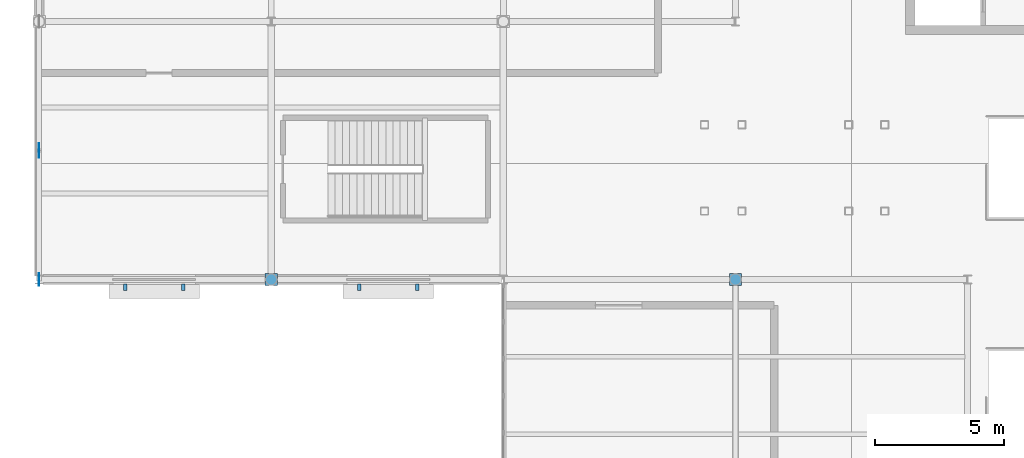
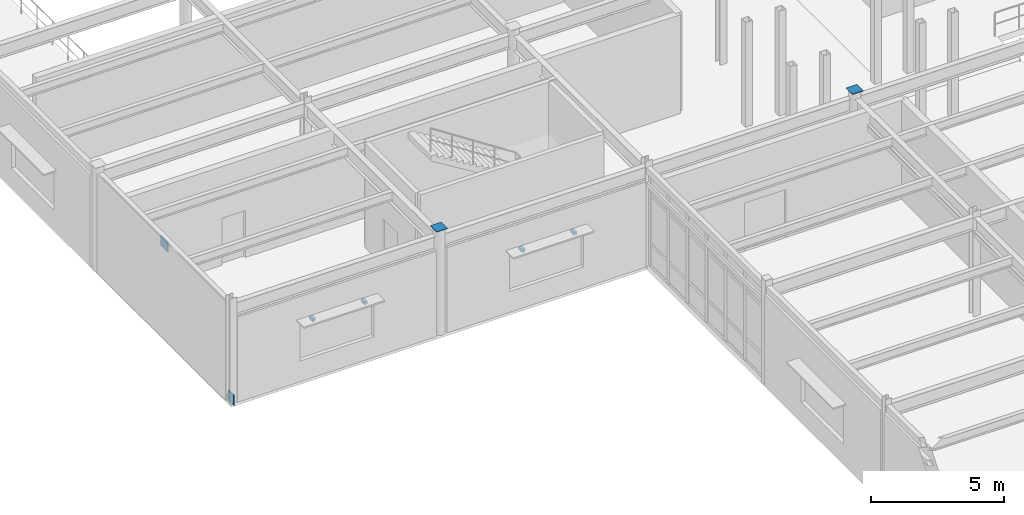
# One storey, part 71 of 86: 8 discrete accessories.
"""IFC4 building model written with IfcOpenShell, lengths in metres."""

from ifc_helpers import new_model, si_unit, direction, frame, origin, origin_2d, place, context, subcontext, project, spatial, rectangle, extrude, material, type_object, element, save


model = new_model("IFC4")

# Units and contexts
model_context = context("Model", 3, precision=1e-05, world=origin(), true_north=direction((0.0, 1.0)))
body_context = subcontext(model_context, "Body", "Model", "MODEL_VIEW")
ifc_project = project(units=[si_unit("LENGTHUNIT", "METRE"), si_unit("AREAUNIT", "SQUARE_METRE"), si_unit("VOLUMEUNIT", "CUBIC_METRE"), si_unit("PLANEANGLEUNIT", "RADIAN"), si_unit("MASSUNIT", "GRAM", prefix="KILO")], contexts=[model_context])

# Site, building, storey
site_placement = place(None, origin())
site = spatial("IfcSite", under=ifc_project, at=site_placement, CompositionType="ELEMENT")
building_placement = place(site_placement, origin())
building = spatial("IfcBuilding", under=site, at=building_placement, Name="Glasvene Arena", CompositionType="ELEMENT")
storey_placement = place(building_placement, frame((0.0, 0.0, 5.39990234375)))
storey = spatial("IfcBuildingStorey", under=building, at=storey_placement, Name="L01", CompositionType="ELEMENT", Elevation=5.39990234375)

# Discrete accessories
ifc_material_1 = material(Name="Steel S355J2", Category="steel")
discrete_accessory_type_1 = type_object("IfcDiscreteAccessoryType", Name="ACC-BRACE-GP20", PredefinedType="BRACKET", material=ifc_material_1)
discrete_accessory_1_placement = place(storey_placement, frame((0.0, 54.0, -0.06982421875), z_axis=(0.0, 0.0, 1.0), x_axis=(1.0, 0.0, 0.0)))
element("IfcDiscreteAccessory", 1, at=discrete_accessory_1_placement, inside=storey, type_object=discrete_accessory_type_1, Name="Chevron brace base gusset plate L01-011-A", PredefinedType="BRACKET", context=body_context, shape_type="SweptSolid", body=[
    extrude(rectangle(XDim=0.02001953125, YDim=0.47998046875, at=origin_2d()), origin(), (0.0, 0.0, 1.0), 0.47998046875),
])
discrete_accessory_2_placement = place(storey_placement, frame((0.0, 59.0, 3.93017578125), z_axis=(0.0, 0.0, 1.0), x_axis=(1.0, 0.0, 0.0)))
element("IfcDiscreteAccessory", 2, at=discrete_accessory_2_placement, inside=storey, type_object=discrete_accessory_type_1, Name="Chevron brace apex gusset plate L01-012", PredefinedType="BRACKET", context=body_context, shape_type="SweptSolid", body=[
    extrude(rectangle(XDim=0.02001953125, YDim=0.56005859375, at=origin_2d()), origin(), (0.0, 0.0, 1.0), 0.47998046875),
])
discrete_accessory_type_2 = type_object("IfcDiscreteAccessoryType", Name="ACC-CAP-CHS420", PredefinedType="USERDEFINED", material=ifc_material_1)
for number, where, z_axis, x_axis, name in (
    (3, (9.0, 54.0, 4.798095703125), (0.0, 0.0, 1.0), (1.0, 0.0, 0.0), "Hollow column top cap plate 2-7 L01"),
    (4, (27.0, 54.0, 4.798095703125), (0.0, 0.0, 1.0), (1.0, 0.0, 0.0), "Hollow column top cap plate 4-7 L01"),
):
    element("IfcDiscreteAccessory", number, at=place(storey_placement, frame(where, z_axis=z_axis, x_axis=x_axis)), inside=storey, type_object=discrete_accessory_type_2, Name=name, ObjectType="CAP PLATE", PredefinedType="USERDEFINED", context=body_context, shape_type="SweptSolid", body=[
        extrude(rectangle(XDim=0.47998046875, YDim=0.47998046875, at=origin_2d()), origin(), (0.0, 0.0, 1.0), 0.02001953125),
    ])
ifc_material_2 = material(Name="Warm bronze architectural aluminium", Category="aluminium")
discrete_accessory_type_3 = type_object("IfcDiscreteAccessoryType", Name="ACC-FIN-BRK", PredefinedType="BRACKET", material=ifc_material_2)
for number, where, z_axis, x_axis, name in (
    (5, (14.656982421875, 53.699951171875, 2.72021484375), (0.0, 0.0, 1.0), (-1.0, 0.0, 0.0), "Brise-soleil wall bracket BK-038"),
    (6, (12.4169921875, 53.699951171875, 2.72021484375), (0.0, 0.0, 1.0), (-1.0, 0.0, 0.0), "Brise-soleil wall bracket BK-038"),
    (7, (5.5830078125, 53.699951171875, 2.72021484375), (0.0, 0.0, 1.0), (-1.0, 0.0, 0.0), "Brise-soleil wall bracket BK-039"),
    (8, (3.343017578125, 53.699951171875, 2.72021484375), (0.0, 0.0, 1.0), (-1.0, 0.0, 0.0), "Brise-soleil wall bracket BK-039"),
):
    element("IfcDiscreteAccessory", number, at=place(storey_placement, frame(where, z_axis=z_axis, x_axis=x_axis)), inside=storey, type_object=discrete_accessory_type_3, Name=name, PredefinedType="BRACKET", context=body_context, shape_type="SweptSolid", body=[
        extrude(rectangle(XDim=0.139892578125, YDim=0.239990234375, at=origin_2d()), origin(), (0.0, 0.0, 1.0), 0.139892578125),
    ])

save(model, "model.ifc")
